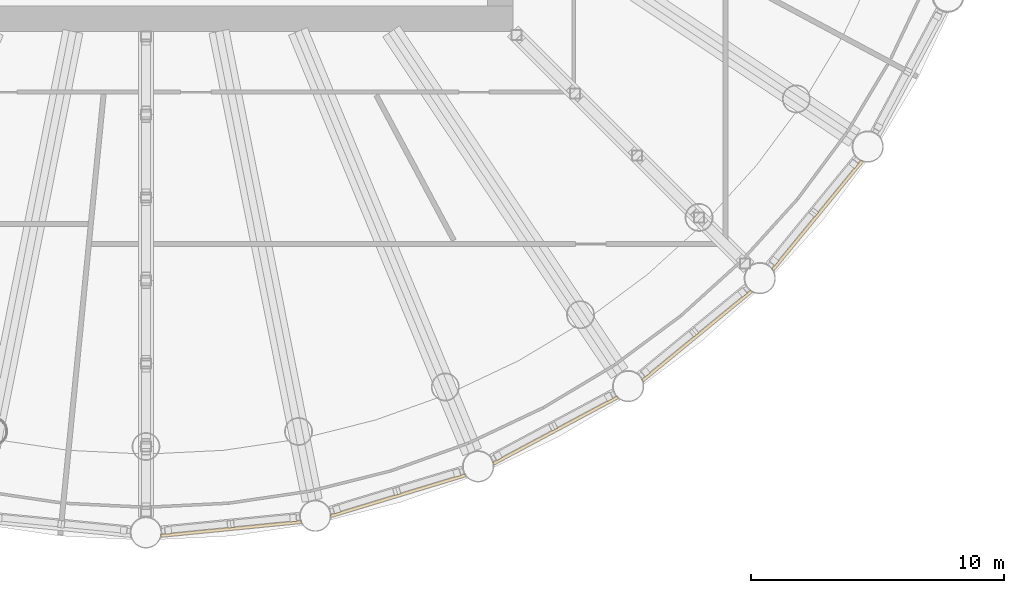
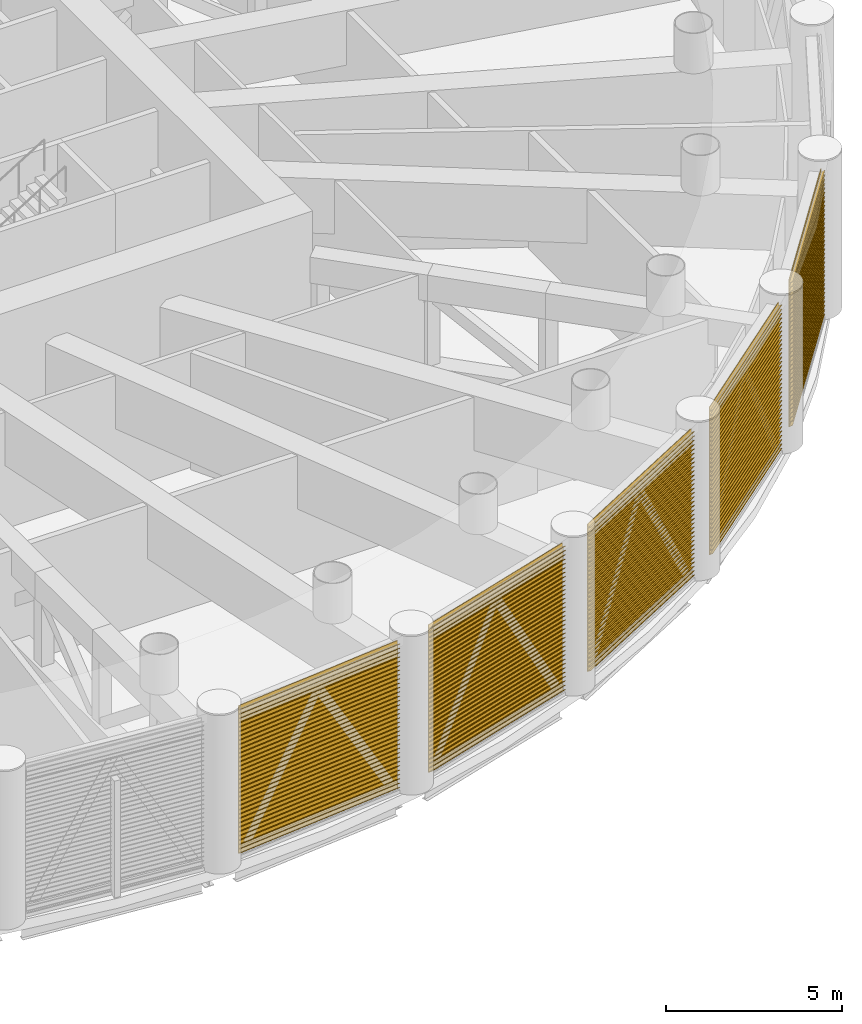
# One storey, part 24 of 29: 5 shading devices, 5 elements without a shape of their own.
"""IFC4 building model written with IfcOpenShell, lengths in metres."""

from ifc_helpers import new_model, si_unit, direction, frame, origin, place, context, subcontext, project, spatial, polyline, outline, extrude, material, material_profile, profile_set, type_object, element, aggregate, save


model = new_model("IFC4")

# Units and contexts
model_context = context("Model", 3, precision=1e-05, world=origin(), true_north=direction((0.0, 1.0)))
body_context = subcontext(model_context, "Body", "Model", "MODEL_VIEW")
ifc_project = project(units=[si_unit("LENGTHUNIT", "METRE"), si_unit("AREAUNIT", "SQUARE_METRE"), si_unit("VOLUMEUNIT", "CUBIC_METRE"), si_unit("PLANEANGLEUNIT", "RADIAN"), si_unit("MASSUNIT", "GRAM", prefix="KILO")], contexts=[model_context])

# Site, building, storey
site_placement = place(None, origin())
site = spatial("IfcSite", under=ifc_project, at=site_placement, CompositionType="ELEMENT")
building_placement = place(site_placement, origin())
building = spatial("IfcBuilding", under=site, at=building_placement, Name="Corvane Civic Tower", CompositionType="ELEMENT")
storey_placement = place(building_placement, frame((0.0, 0.0, 138.5)))
storey = spatial("IfcBuildingStorey", under=building, at=storey_placement, Name="L32", CompositionType="ELEMENT", Elevation=138.5)

# Curtain wall, shading device
ifc_material_1 = material(Name="Anodised aluminium bronze", Category="aluminium")
curtain_wall_type = type_object("IfcCurtainWallType", Name="TOWER CW-LV LOUVRE SCREEN WALL", PredefinedType="NOTDEFINED", material=ifc_material_1)
curtain_wall_1_placement = place(storey_placement, origin())
curtain_wall_1 = element("IfcCurtainWall", 1, at=curtain_wall_1_placement, inside=storey, type_object=curtain_wall_type, Name="Louvre screen wall CW-LV L32 bay 12", PredefinedType="NOTDEFINED")
ifc_material_2 = material(Name="Anodised aluminium bronze", Category="aluminium")
ifc_material_profile = material_profile(ifc_material_2, outline(polyline([(-0.06005859375, -2.56494140625), (-0.0400390625, -2.56494140625), (0.06005859375, -2.492919921875), (0.06005859375, -2.472900390625), (-0.0400390625, -2.544921875), (-0.0400390625, -2.4140625), (0.06005859375, -2.342041015625), (0.06005859375, -2.322021484375), (-0.0400390625, -2.39404296875), (-0.0400390625, -2.26318359375), (0.06005859375, -2.191162109375), (0.06005859375, -2.171142578125), (-0.0400390625, -2.2431640625), (-0.0400390625, -2.1123046875), (0.06005859375, -2.040283203125), (0.06005859375, -2.0205078125), (-0.0400390625, -2.09228515625), (-0.0400390625, -1.96142578125), (0.06005859375, -1.889404296875), (0.06005859375, -1.869384765625), (-0.0400390625, -1.94140625), (-0.0400390625, -1.810546875), (0.06005859375, -1.738525390625), (0.06005859375, -1.718505859375), (-0.0400390625, -1.79052734375), (-0.0400390625, -1.65966796875), (0.06005859375, -1.587646484375), (0.06005859375, -1.567626953125), (-0.0400390625, -1.6396484375), (-0.0400390625, -1.5087890625), (0.06005859375, -1.436767578125), (0.06005859375, -1.416748046875), (-0.0400390625, -1.48876953125), (-0.0400390625, -1.35791015625), (0.06005859375, -1.285888671875), (0.06005859375, -1.265869140625), (-0.0400390625, -1.337890625), (-0.0400390625, -1.20703125), (0.06005859375, -1.135009765625), (0.06005859375, -1.114990234375), (-0.0400390625, -1.18701171875), (-0.0400390625, -1.05615234375), (0.06005859375, -0.984130859375), (0.06005859375, -0.964111328125), (-0.0400390625, -1.0361328125), (-0.0400390625, -0.9052734375), (0.06005859375, -0.833251953125), (0.06005859375, -0.813232421875), (-0.0400390625, -0.88525390625), (-0.0400390625, -0.75439453125), (0.06005859375, -0.682373046875), (0.06005859375, -0.662353515625), (-0.0400390625, -0.734375), (-0.0400390625, -0.603515625), (0.06005859375, -0.531494140625), (0.06005859375, -0.511474609375), (-0.0400390625, -0.58349609375), (-0.0400390625, -0.45263671875), (0.06005859375, -0.380615234375), (0.06005859375, -0.360595703125), (-0.0400390625, -0.4326171875), (-0.0400390625, -0.3017578125), (0.06005859375, -0.229736328125), (0.06005859375, -0.209716796875), (-0.0400390625, -0.28173828125), (-0.0400390625, -0.15087890625), (0.06005859375, -0.078857421875), (0.06005859375, -0.058837890625), (-0.0400390625, -0.130859375), (-0.0400390625, 0.0), (0.06005859375, 0.072021484375), (0.06005859375, 0.092041015625), (-0.0400390625, 0.02001953125), (-0.0400390625, 0.15087890625), (0.06005859375, 0.222900390625), (0.06005859375, 0.242919921875), (-0.0400390625, 0.1708984375), (-0.0400390625, 0.3017578125), (0.06005859375, 0.373779296875), (0.06005859375, 0.393798828125), (-0.0400390625, 0.32177734375), (-0.0400390625, 0.45263671875), (0.06005859375, 0.524658203125), (0.06005859375, 0.544677734375), (-0.0400390625, 0.47265625), (-0.0400390625, 0.603515625), (0.06005859375, 0.675537109375), (0.06005859375, 0.695556640625), (-0.0400390625, 0.62353515625), (-0.0400390625, 0.75439453125), (0.06005859375, 0.826416015625), (0.06005859375, 0.846435546875), (-0.0400390625, 0.7744140625), (-0.0400390625, 0.9052734375), (0.06005859375, 0.977294921875), (0.06005859375, 0.997314453125), (-0.0400390625, 0.92529296875), (-0.0400390625, 1.05615234375), (0.06005859375, 1.128173828125), (0.06005859375, 1.148193359375), (-0.0400390625, 1.076171875), (-0.0400390625, 1.20703125), (0.06005859375, 1.279052734375), (0.06005859375, 1.299072265625), (-0.0400390625, 1.22705078125), (-0.0400390625, 1.35791015625), (0.06005859375, 1.429931640625), (0.06005859375, 1.449951171875), (-0.0400390625, 1.3779296875), (-0.0400390625, 1.5087890625), (0.06005859375, 1.580810546875), (0.06005859375, 1.600830078125), (-0.0400390625, 1.52880859375), (-0.0400390625, 1.65966796875), (0.06005859375, 1.731689453125), (0.06005859375, 1.751708984375), (-0.0400390625, 1.6796875), (-0.0400390625, 1.810546875), (0.06005859375, 1.882568359375), (0.06005859375, 1.902587890625), (-0.0400390625, 1.83056640625), (-0.0400390625, 1.96142578125), (0.06005859375, 2.033447265625), (0.06005859375, 2.053466796875), (-0.0400390625, 1.9814453125), (-0.0400390625, 2.1123046875), (0.06005859375, 2.184326171875), (0.06005859375, 2.204345703125), (-0.0400390625, 2.13232421875), (-0.0400390625, 2.26318359375), (0.06005859375, 2.335205078125), (0.06005859375, 2.355224609375), (-0.0400390625, 2.283203125), (-0.0400390625, 2.4140625), (0.06005859375, 2.486083984375), (0.06005859375, 2.506103515625), (-0.0400390625, 2.43408203125), (-0.0400390625, 2.56494140625), (-0.06005859375, 2.56494140625), (-0.06005859375, -2.56494140625)])), Name="TOWER LOUVRE BANK 5130 BRONZE")
ifc_profile_set = profile_set([ifc_material_profile], Name="Anodised aluminium bronze")
shading_device_type = type_object("IfcShadingDeviceType", Name="TOWER LOUVRE BANK 5130 BRONZE", PredefinedType="USERDEFINED", material=ifc_profile_set)
shading_device_1_placement = place(storey_placement, frame((28.297119140625, -19.609619140625, 2.68505859375), z_axis=(-0.634410369295, -0.772996431642, 0.0), x_axis=(0.772996431642, -0.634410369295, 0.0)))
shading_device_1 = element("IfcShadingDevice", 2, at=shading_device_1_placement, type_object=shading_device_type, Name="Louvre bank L32 12.1", ObjectType="LOUVRE", PredefinedType="USERDEFINED", context=body_context, shape_type="SweptSolid", body=[
    extrude(outline(polyline([(-0.06005859375, -2.56494140625), (-0.0400390625, -2.56494140625), (0.06005859375, -2.492919921875), (0.06005859375, -2.472900390625), (-0.0400390625, -2.544921875), (-0.0400390625, -2.4140625), (0.06005859375, -2.342041015625), (0.06005859375, -2.322021484375), (-0.0400390625, -2.39404296875), (-0.0400390625, -2.26318359375), (0.06005859375, -2.191162109375), (0.06005859375, -2.171142578125), (-0.0400390625, -2.2431640625), (-0.0400390625, -2.1123046875), (0.06005859375, -2.040283203125), (0.06005859375, -2.0205078125), (-0.0400390625, -2.09228515625), (-0.0400390625, -1.96142578125), (0.06005859375, -1.889404296875), (0.06005859375, -1.869384765625), (-0.0400390625, -1.94140625), (-0.0400390625, -1.810546875), (0.06005859375, -1.738525390625), (0.06005859375, -1.718505859375), (-0.0400390625, -1.79052734375), (-0.0400390625, -1.65966796875), (0.06005859375, -1.587646484375), (0.06005859375, -1.567626953125), (-0.0400390625, -1.6396484375), (-0.0400390625, -1.5087890625), (0.06005859375, -1.436767578125), (0.06005859375, -1.416748046875), (-0.0400390625, -1.48876953125), (-0.0400390625, -1.35791015625), (0.06005859375, -1.285888671875), (0.06005859375, -1.265869140625), (-0.0400390625, -1.337890625), (-0.0400390625, -1.20703125), (0.06005859375, -1.135009765625), (0.06005859375, -1.114990234375), (-0.0400390625, -1.18701171875), (-0.0400390625, -1.05615234375), (0.06005859375, -0.984130859375), (0.06005859375, -0.964111328125), (-0.0400390625, -1.0361328125), (-0.0400390625, -0.9052734375), (0.06005859375, -0.833251953125), (0.06005859375, -0.813232421875), (-0.0400390625, -0.88525390625), (-0.0400390625, -0.75439453125), (0.06005859375, -0.682373046875), (0.06005859375, -0.662353515625), (-0.0400390625, -0.734375), (-0.0400390625, -0.603515625), (0.06005859375, -0.531494140625), (0.06005859375, -0.511474609375), (-0.0400390625, -0.58349609375), (-0.0400390625, -0.45263671875), (0.06005859375, -0.380615234375), (0.06005859375, -0.360595703125), (-0.0400390625, -0.4326171875), (-0.0400390625, -0.3017578125), (0.06005859375, -0.229736328125), (0.06005859375, -0.209716796875), (-0.0400390625, -0.28173828125), (-0.0400390625, -0.15087890625), (0.06005859375, -0.078857421875), (0.06005859375, -0.058837890625), (-0.0400390625, -0.130859375), (-0.0400390625, 0.0), (0.06005859375, 0.072021484375), (0.06005859375, 0.092041015625), (-0.0400390625, 0.02001953125), (-0.0400390625, 0.15087890625), (0.06005859375, 0.222900390625), (0.06005859375, 0.242919921875), (-0.0400390625, 0.1708984375), (-0.0400390625, 0.3017578125), (0.06005859375, 0.373779296875), (0.06005859375, 0.393798828125), (-0.0400390625, 0.32177734375), (-0.0400390625, 0.45263671875), (0.06005859375, 0.524658203125), (0.06005859375, 0.544677734375), (-0.0400390625, 0.47265625), (-0.0400390625, 0.603515625), (0.06005859375, 0.675537109375), (0.06005859375, 0.695556640625), (-0.0400390625, 0.62353515625), (-0.0400390625, 0.75439453125), (0.06005859375, 0.826416015625), (0.06005859375, 0.846435546875), (-0.0400390625, 0.7744140625), (-0.0400390625, 0.9052734375), (0.06005859375, 0.977294921875), (0.06005859375, 0.997314453125), (-0.0400390625, 0.92529296875), (-0.0400390625, 1.05615234375), (0.06005859375, 1.128173828125), (0.06005859375, 1.148193359375), (-0.0400390625, 1.076171875), (-0.0400390625, 1.20703125), (0.06005859375, 1.279052734375), (0.06005859375, 1.299072265625), (-0.0400390625, 1.22705078125), (-0.0400390625, 1.35791015625), (0.06005859375, 1.429931640625), (0.06005859375, 1.449951171875), (-0.0400390625, 1.3779296875), (-0.0400390625, 1.5087890625), (0.06005859375, 1.580810546875), (0.06005859375, 1.600830078125), (-0.0400390625, 1.52880859375), (-0.0400390625, 1.65966796875), (0.06005859375, 1.731689453125), (0.06005859375, 1.751708984375), (-0.0400390625, 1.6796875), (-0.0400390625, 1.810546875), (0.06005859375, 1.882568359375), (0.06005859375, 1.902587890625), (-0.0400390625, 1.83056640625), (-0.0400390625, 1.96142578125), (0.06005859375, 2.033447265625), (0.06005859375, 2.053466796875), (-0.0400390625, 1.9814453125), (-0.0400390625, 2.1123046875), (0.06005859375, 2.184326171875), (0.06005859375, 2.204345703125), (-0.0400390625, 2.13232421875), (-0.0400390625, 2.26318359375), (0.06005859375, 2.335205078125), (0.06005859375, 2.355224609375), (-0.0400390625, 2.283203125), (-0.0400390625, 2.4140625), (0.06005859375, 2.486083984375), (0.06005859375, 2.506103515625), (-0.0400390625, 2.43408203125), (-0.0400390625, 2.56494140625), (-0.06005859375, 2.56494140625), (-0.06005859375, -2.56494140625)])), origin(), (0.0, 0.0, 1.0), 5.586181640625),
])
aggregate(curtain_wall_1, [shading_device_1])

curtain_wall_2_placement = place(storey_placement, origin())
curtain_wall_2 = element("IfcCurtainWall", 3, at=curtain_wall_2_placement, inside=storey, type_object=curtain_wall_type, Name="Louvre screen wall CW-LV L32 bay 13", PredefinedType="NOTDEFINED")
shading_device_2_placement = place(storey_placement, frame((23.927734375, -24.753173828125, 2.68505859375), z_axis=(-0.772996431642, -0.634410369295, 0.0), x_axis=(0.634410369295, -0.772996431642, 0.0)))
shading_device_2 = element("IfcShadingDevice", 4, at=shading_device_2_placement, type_object=shading_device_type, Name="Louvre bank L32 13.1", ObjectType="LOUVRE", PredefinedType="USERDEFINED", context=body_context, shape_type="SweptSolid", body=[
    extrude(outline(polyline([(-0.06005859375, -2.56494140625), (-0.0400390625, -2.56494140625), (0.06005859375, -2.492919921875), (0.06005859375, -2.472900390625), (-0.0400390625, -2.544921875), (-0.0400390625, -2.4140625), (0.06005859375, -2.342041015625), (0.06005859375, -2.322021484375), (-0.0400390625, -2.39404296875), (-0.0400390625, -2.26318359375), (0.06005859375, -2.191162109375), (0.06005859375, -2.171142578125), (-0.0400390625, -2.2431640625), (-0.0400390625, -2.1123046875), (0.06005859375, -2.040283203125), (0.06005859375, -2.0205078125), (-0.0400390625, -2.09228515625), (-0.0400390625, -1.96142578125), (0.06005859375, -1.889404296875), (0.06005859375, -1.869384765625), (-0.0400390625, -1.94140625), (-0.0400390625, -1.810546875), (0.06005859375, -1.738525390625), (0.06005859375, -1.718505859375), (-0.0400390625, -1.79052734375), (-0.0400390625, -1.65966796875), (0.06005859375, -1.587646484375), (0.06005859375, -1.567626953125), (-0.0400390625, -1.6396484375), (-0.0400390625, -1.5087890625), (0.06005859375, -1.436767578125), (0.06005859375, -1.416748046875), (-0.0400390625, -1.48876953125), (-0.0400390625, -1.35791015625), (0.06005859375, -1.285888671875), (0.06005859375, -1.265869140625), (-0.0400390625, -1.337890625), (-0.0400390625, -1.20703125), (0.06005859375, -1.135009765625), (0.06005859375, -1.114990234375), (-0.0400390625, -1.18701171875), (-0.0400390625, -1.05615234375), (0.06005859375, -0.984130859375), (0.06005859375, -0.964111328125), (-0.0400390625, -1.0361328125), (-0.0400390625, -0.9052734375), (0.06005859375, -0.833251953125), (0.06005859375, -0.813232421875), (-0.0400390625, -0.88525390625), (-0.0400390625, -0.75439453125), (0.06005859375, -0.682373046875), (0.06005859375, -0.662353515625), (-0.0400390625, -0.734375), (-0.0400390625, -0.603515625), (0.06005859375, -0.531494140625), (0.06005859375, -0.511474609375), (-0.0400390625, -0.58349609375), (-0.0400390625, -0.45263671875), (0.06005859375, -0.380615234375), (0.06005859375, -0.360595703125), (-0.0400390625, -0.4326171875), (-0.0400390625, -0.3017578125), (0.06005859375, -0.229736328125), (0.06005859375, -0.209716796875), (-0.0400390625, -0.28173828125), (-0.0400390625, -0.15087890625), (0.06005859375, -0.078857421875), (0.06005859375, -0.058837890625), (-0.0400390625, -0.130859375), (-0.0400390625, 0.0), (0.06005859375, 0.072021484375), (0.06005859375, 0.092041015625), (-0.0400390625, 0.02001953125), (-0.0400390625, 0.15087890625), (0.06005859375, 0.222900390625), (0.06005859375, 0.242919921875), (-0.0400390625, 0.1708984375), (-0.0400390625, 0.3017578125), (0.06005859375, 0.373779296875), (0.06005859375, 0.393798828125), (-0.0400390625, 0.32177734375), (-0.0400390625, 0.45263671875), (0.06005859375, 0.524658203125), (0.06005859375, 0.544677734375), (-0.0400390625, 0.47265625), (-0.0400390625, 0.603515625), (0.06005859375, 0.675537109375), (0.06005859375, 0.695556640625), (-0.0400390625, 0.62353515625), (-0.0400390625, 0.75439453125), (0.06005859375, 0.826416015625), (0.06005859375, 0.846435546875), (-0.0400390625, 0.7744140625), (-0.0400390625, 0.9052734375), (0.06005859375, 0.977294921875), (0.06005859375, 0.997314453125), (-0.0400390625, 0.92529296875), (-0.0400390625, 1.05615234375), (0.06005859375, 1.128173828125), (0.06005859375, 1.148193359375), (-0.0400390625, 1.076171875), (-0.0400390625, 1.20703125), (0.06005859375, 1.279052734375), (0.06005859375, 1.299072265625), (-0.0400390625, 1.22705078125), (-0.0400390625, 1.35791015625), (0.06005859375, 1.429931640625), (0.06005859375, 1.449951171875), (-0.0400390625, 1.3779296875), (-0.0400390625, 1.5087890625), (0.06005859375, 1.580810546875), (0.06005859375, 1.600830078125), (-0.0400390625, 1.52880859375), (-0.0400390625, 1.65966796875), (0.06005859375, 1.731689453125), (0.06005859375, 1.751708984375), (-0.0400390625, 1.6796875), (-0.0400390625, 1.810546875), (0.06005859375, 1.882568359375), (0.06005859375, 1.902587890625), (-0.0400390625, 1.83056640625), (-0.0400390625, 1.96142578125), (0.06005859375, 2.033447265625), (0.06005859375, 2.053466796875), (-0.0400390625, 1.9814453125), (-0.0400390625, 2.1123046875), (0.06005859375, 2.184326171875), (0.06005859375, 2.204345703125), (-0.0400390625, 2.13232421875), (-0.0400390625, 2.26318359375), (0.06005859375, 2.335205078125), (0.06005859375, 2.355224609375), (-0.0400390625, 2.283203125), (-0.0400390625, 2.4140625), (0.06005859375, 2.486083984375), (0.06005859375, 2.506103515625), (-0.0400390625, 2.43408203125), (-0.0400390625, 2.56494140625), (-0.06005859375, 2.56494140625), (-0.06005859375, -2.56494140625)])), origin(), (0.0, 0.0, 1.0), 5.586181640625),
])
aggregate(curtain_wall_2, [shading_device_2])

curtain_wall_3_placement = place(storey_placement, origin())
curtain_wall_3 = element("IfcCurtainWall", 5, at=curtain_wall_3_placement, inside=storey, type_object=curtain_wall_type, Name="Louvre screen wall CW-LV L32 bay 14", PredefinedType="NOTDEFINED")
shading_device_3_placement = place(storey_placement, frame((18.63916015625, -28.945556640625, 2.68505859375), z_axis=(-0.881920705407, -0.47139778253, 0.0), x_axis=(0.47139778253, -0.881920705407, 0.0)))
shading_device_3 = element("IfcShadingDevice", 6, at=shading_device_3_placement, type_object=shading_device_type, Name="Louvre bank L32 14.1", ObjectType="LOUVRE", PredefinedType="USERDEFINED", context=body_context, shape_type="SweptSolid", body=[
    extrude(outline(polyline([(-0.06005859375, -2.56494140625), (-0.0400390625, -2.56494140625), (0.06005859375, -2.492919921875), (0.06005859375, -2.472900390625), (-0.0400390625, -2.544921875), (-0.0400390625, -2.4140625), (0.06005859375, -2.342041015625), (0.06005859375, -2.322021484375), (-0.0400390625, -2.39404296875), (-0.0400390625, -2.26318359375), (0.06005859375, -2.191162109375), (0.06005859375, -2.171142578125), (-0.0400390625, -2.2431640625), (-0.0400390625, -2.1123046875), (0.06005859375, -2.040283203125), (0.06005859375, -2.0205078125), (-0.0400390625, -2.09228515625), (-0.0400390625, -1.96142578125), (0.06005859375, -1.889404296875), (0.06005859375, -1.869384765625), (-0.0400390625, -1.94140625), (-0.0400390625, -1.810546875), (0.06005859375, -1.738525390625), (0.06005859375, -1.718505859375), (-0.0400390625, -1.79052734375), (-0.0400390625, -1.65966796875), (0.06005859375, -1.587646484375), (0.06005859375, -1.567626953125), (-0.0400390625, -1.6396484375), (-0.0400390625, -1.5087890625), (0.06005859375, -1.436767578125), (0.06005859375, -1.416748046875), (-0.0400390625, -1.48876953125), (-0.0400390625, -1.35791015625), (0.06005859375, -1.285888671875), (0.06005859375, -1.265869140625), (-0.0400390625, -1.337890625), (-0.0400390625, -1.20703125), (0.06005859375, -1.135009765625), (0.06005859375, -1.114990234375), (-0.0400390625, -1.18701171875), (-0.0400390625, -1.05615234375), (0.06005859375, -0.984130859375), (0.06005859375, -0.964111328125), (-0.0400390625, -1.0361328125), (-0.0400390625, -0.9052734375), (0.06005859375, -0.833251953125), (0.06005859375, -0.813232421875), (-0.0400390625, -0.88525390625), (-0.0400390625, -0.75439453125), (0.06005859375, -0.682373046875), (0.06005859375, -0.662353515625), (-0.0400390625, -0.734375), (-0.0400390625, -0.603515625), (0.06005859375, -0.531494140625), (0.06005859375, -0.511474609375), (-0.0400390625, -0.58349609375), (-0.0400390625, -0.45263671875), (0.06005859375, -0.380615234375), (0.06005859375, -0.360595703125), (-0.0400390625, -0.4326171875), (-0.0400390625, -0.3017578125), (0.06005859375, -0.229736328125), (0.06005859375, -0.209716796875), (-0.0400390625, -0.28173828125), (-0.0400390625, -0.15087890625), (0.06005859375, -0.078857421875), (0.06005859375, -0.058837890625), (-0.0400390625, -0.130859375), (-0.0400390625, 0.0), (0.06005859375, 0.072021484375), (0.06005859375, 0.092041015625), (-0.0400390625, 0.02001953125), (-0.0400390625, 0.15087890625), (0.06005859375, 0.222900390625), (0.06005859375, 0.242919921875), (-0.0400390625, 0.1708984375), (-0.0400390625, 0.3017578125), (0.06005859375, 0.373779296875), (0.06005859375, 0.393798828125), (-0.0400390625, 0.32177734375), (-0.0400390625, 0.45263671875), (0.06005859375, 0.524658203125), (0.06005859375, 0.544677734375), (-0.0400390625, 0.47265625), (-0.0400390625, 0.603515625), (0.06005859375, 0.675537109375), (0.06005859375, 0.695556640625), (-0.0400390625, 0.62353515625), (-0.0400390625, 0.75439453125), (0.06005859375, 0.826416015625), (0.06005859375, 0.846435546875), (-0.0400390625, 0.7744140625), (-0.0400390625, 0.9052734375), (0.06005859375, 0.977294921875), (0.06005859375, 0.997314453125), (-0.0400390625, 0.92529296875), (-0.0400390625, 1.05615234375), (0.06005859375, 1.128173828125), (0.06005859375, 1.148193359375), (-0.0400390625, 1.076171875), (-0.0400390625, 1.20703125), (0.06005859375, 1.279052734375), (0.06005859375, 1.299072265625), (-0.0400390625, 1.22705078125), (-0.0400390625, 1.35791015625), (0.06005859375, 1.429931640625), (0.06005859375, 1.449951171875), (-0.0400390625, 1.3779296875), (-0.0400390625, 1.5087890625), (0.06005859375, 1.580810546875), (0.06005859375, 1.600830078125), (-0.0400390625, 1.52880859375), (-0.0400390625, 1.65966796875), (0.06005859375, 1.731689453125), (0.06005859375, 1.751708984375), (-0.0400390625, 1.6796875), (-0.0400390625, 1.810546875), (0.06005859375, 1.882568359375), (0.06005859375, 1.902587890625), (-0.0400390625, 1.83056640625), (-0.0400390625, 1.96142578125), (0.06005859375, 2.033447265625), (0.06005859375, 2.053466796875), (-0.0400390625, 1.9814453125), (-0.0400390625, 2.1123046875), (0.06005859375, 2.184326171875), (0.06005859375, 2.204345703125), (-0.0400390625, 2.13232421875), (-0.0400390625, 2.26318359375), (0.06005859375, 2.335205078125), (0.06005859375, 2.355224609375), (-0.0400390625, 2.283203125), (-0.0400390625, 2.4140625), (0.06005859375, 2.486083984375), (0.06005859375, 2.506103515625), (-0.0400390625, 2.43408203125), (-0.0400390625, 2.56494140625), (-0.06005859375, 2.56494140625), (-0.06005859375, -2.56494140625)])), origin(), (0.0, 0.0, 1.0), 5.586669921875),
])
aggregate(curtain_wall_3, [shading_device_3])

curtain_wall_4_placement = place(storey_placement, origin())
curtain_wall_4 = element("IfcCurtainWall", 7, at=curtain_wall_4_placement, inside=storey, type_object=curtain_wall_type, Name="Louvre screen wall CW-LV L32 bay 15", PredefinedType="NOTDEFINED")
shading_device_4_placement = place(storey_placement, frame((12.6337890625, -32.025634765625, 2.68505859375), z_axis=(-0.956944977029, -0.290269376509, 0.0), x_axis=(0.290269376509, -0.956944977029, 0.0)))
shading_device_4 = element("IfcShadingDevice", 8, at=shading_device_4_placement, type_object=shading_device_type, Name="Louvre bank L32 15.1", ObjectType="LOUVRE", PredefinedType="USERDEFINED", context=body_context, shape_type="SweptSolid", body=[
    extrude(outline(polyline([(-0.06005859375, -2.56494140625), (-0.0400390625, -2.56494140625), (0.06005859375, -2.492919921875), (0.06005859375, -2.472900390625), (-0.0400390625, -2.544921875), (-0.0400390625, -2.4140625), (0.06005859375, -2.342041015625), (0.06005859375, -2.322021484375), (-0.0400390625, -2.39404296875), (-0.0400390625, -2.26318359375), (0.06005859375, -2.191162109375), (0.06005859375, -2.171142578125), (-0.0400390625, -2.2431640625), (-0.0400390625, -2.1123046875), (0.06005859375, -2.040283203125), (0.06005859375, -2.0205078125), (-0.0400390625, -2.09228515625), (-0.0400390625, -1.96142578125), (0.06005859375, -1.889404296875), (0.06005859375, -1.869384765625), (-0.0400390625, -1.94140625), (-0.0400390625, -1.810546875), (0.06005859375, -1.738525390625), (0.06005859375, -1.718505859375), (-0.0400390625, -1.79052734375), (-0.0400390625, -1.65966796875), (0.06005859375, -1.587646484375), (0.06005859375, -1.567626953125), (-0.0400390625, -1.6396484375), (-0.0400390625, -1.5087890625), (0.06005859375, -1.436767578125), (0.06005859375, -1.416748046875), (-0.0400390625, -1.48876953125), (-0.0400390625, -1.35791015625), (0.06005859375, -1.285888671875), (0.06005859375, -1.265869140625), (-0.0400390625, -1.337890625), (-0.0400390625, -1.20703125), (0.06005859375, -1.135009765625), (0.06005859375, -1.114990234375), (-0.0400390625, -1.18701171875), (-0.0400390625, -1.05615234375), (0.06005859375, -0.984130859375), (0.06005859375, -0.964111328125), (-0.0400390625, -1.0361328125), (-0.0400390625, -0.9052734375), (0.06005859375, -0.833251953125), (0.06005859375, -0.813232421875), (-0.0400390625, -0.88525390625), (-0.0400390625, -0.75439453125), (0.06005859375, -0.682373046875), (0.06005859375, -0.662353515625), (-0.0400390625, -0.734375), (-0.0400390625, -0.603515625), (0.06005859375, -0.531494140625), (0.06005859375, -0.511474609375), (-0.0400390625, -0.58349609375), (-0.0400390625, -0.45263671875), (0.06005859375, -0.380615234375), (0.06005859375, -0.360595703125), (-0.0400390625, -0.4326171875), (-0.0400390625, -0.3017578125), (0.06005859375, -0.229736328125), (0.06005859375, -0.209716796875), (-0.0400390625, -0.28173828125), (-0.0400390625, -0.15087890625), (0.06005859375, -0.078857421875), (0.06005859375, -0.058837890625), (-0.0400390625, -0.130859375), (-0.0400390625, 0.0), (0.06005859375, 0.072021484375), (0.06005859375, 0.092041015625), (-0.0400390625, 0.02001953125), (-0.0400390625, 0.15087890625), (0.06005859375, 0.222900390625), (0.06005859375, 0.242919921875), (-0.0400390625, 0.1708984375), (-0.0400390625, 0.3017578125), (0.06005859375, 0.373779296875), (0.06005859375, 0.393798828125), (-0.0400390625, 0.32177734375), (-0.0400390625, 0.45263671875), (0.06005859375, 0.524658203125), (0.06005859375, 0.544677734375), (-0.0400390625, 0.47265625), (-0.0400390625, 0.603515625), (0.06005859375, 0.675537109375), (0.06005859375, 0.695556640625), (-0.0400390625, 0.62353515625), (-0.0400390625, 0.75439453125), (0.06005859375, 0.826416015625), (0.06005859375, 0.846435546875), (-0.0400390625, 0.7744140625), (-0.0400390625, 0.9052734375), (0.06005859375, 0.977294921875), (0.06005859375, 0.997314453125), (-0.0400390625, 0.92529296875), (-0.0400390625, 1.05615234375), (0.06005859375, 1.128173828125), (0.06005859375, 1.148193359375), (-0.0400390625, 1.076171875), (-0.0400390625, 1.20703125), (0.06005859375, 1.279052734375), (0.06005859375, 1.299072265625), (-0.0400390625, 1.22705078125), (-0.0400390625, 1.35791015625), (0.06005859375, 1.429931640625), (0.06005859375, 1.449951171875), (-0.0400390625, 1.3779296875), (-0.0400390625, 1.5087890625), (0.06005859375, 1.580810546875), (0.06005859375, 1.600830078125), (-0.0400390625, 1.52880859375), (-0.0400390625, 1.65966796875), (0.06005859375, 1.731689453125), (0.06005859375, 1.751708984375), (-0.0400390625, 1.6796875), (-0.0400390625, 1.810546875), (0.06005859375, 1.882568359375), (0.06005859375, 1.902587890625), (-0.0400390625, 1.83056640625), (-0.0400390625, 1.96142578125), (0.06005859375, 2.033447265625), (0.06005859375, 2.053466796875), (-0.0400390625, 1.9814453125), (-0.0400390625, 2.1123046875), (0.06005859375, 2.184326171875), (0.06005859375, 2.204345703125), (-0.0400390625, 2.13232421875), (-0.0400390625, 2.26318359375), (0.06005859375, 2.335205078125), (0.06005859375, 2.355224609375), (-0.0400390625, 2.283203125), (-0.0400390625, 2.4140625), (0.06005859375, 2.486083984375), (0.06005859375, 2.506103515625), (-0.0400390625, 2.43408203125), (-0.0400390625, 2.56494140625), (-0.06005859375, 2.56494140625), (-0.06005859375, -2.56494140625)])), origin(), (0.0, 0.0, 1.0), 5.58642578125),
])
aggregate(curtain_wall_4, [shading_device_4])

curtain_wall_5_placement = place(storey_placement, origin())
curtain_wall_5 = element("IfcCurtainWall", 9, at=curtain_wall_5_placement, inside=storey, type_object=curtain_wall_type, Name="Louvre screen wall CW-LV L32 bay 16", PredefinedType="NOTDEFINED")
shading_device_5_placement = place(storey_placement, frame((6.14306640625, -33.874755859375, 2.68505859375), z_axis=(-0.995179807033, -0.098067077419, 0.0), x_axis=(0.098067077419, -0.995179807033, 0.0)))
shading_device_5 = element("IfcShadingDevice", 10, at=shading_device_5_placement, type_object=shading_device_type, Name="Louvre bank L32 16.1", ObjectType="LOUVRE", PredefinedType="USERDEFINED", context=body_context, shape_type="SweptSolid", body=[
    extrude(outline(polyline([(-0.06005859375, -2.56494140625), (-0.0400390625, -2.56494140625), (0.06005859375, -2.492919921875), (0.06005859375, -2.472900390625), (-0.0400390625, -2.544921875), (-0.0400390625, -2.4140625), (0.06005859375, -2.342041015625), (0.06005859375, -2.322021484375), (-0.0400390625, -2.39404296875), (-0.0400390625, -2.26318359375), (0.06005859375, -2.191162109375), (0.06005859375, -2.171142578125), (-0.0400390625, -2.2431640625), (-0.0400390625, -2.1123046875), (0.06005859375, -2.040283203125), (0.06005859375, -2.0205078125), (-0.0400390625, -2.09228515625), (-0.0400390625, -1.96142578125), (0.06005859375, -1.889404296875), (0.06005859375, -1.869384765625), (-0.0400390625, -1.94140625), (-0.0400390625, -1.810546875), (0.06005859375, -1.738525390625), (0.06005859375, -1.718505859375), (-0.0400390625, -1.79052734375), (-0.0400390625, -1.65966796875), (0.06005859375, -1.587646484375), (0.06005859375, -1.567626953125), (-0.0400390625, -1.6396484375), (-0.0400390625, -1.5087890625), (0.06005859375, -1.436767578125), (0.06005859375, -1.416748046875), (-0.0400390625, -1.48876953125), (-0.0400390625, -1.35791015625), (0.06005859375, -1.285888671875), (0.06005859375, -1.265869140625), (-0.0400390625, -1.337890625), (-0.0400390625, -1.20703125), (0.06005859375, -1.135009765625), (0.06005859375, -1.114990234375), (-0.0400390625, -1.18701171875), (-0.0400390625, -1.05615234375), (0.06005859375, -0.984130859375), (0.06005859375, -0.964111328125), (-0.0400390625, -1.0361328125), (-0.0400390625, -0.9052734375), (0.06005859375, -0.833251953125), (0.06005859375, -0.813232421875), (-0.0400390625, -0.88525390625), (-0.0400390625, -0.75439453125), (0.06005859375, -0.682373046875), (0.06005859375, -0.662353515625), (-0.0400390625, -0.734375), (-0.0400390625, -0.603515625), (0.06005859375, -0.531494140625), (0.06005859375, -0.511474609375), (-0.0400390625, -0.58349609375), (-0.0400390625, -0.45263671875), (0.06005859375, -0.380615234375), (0.06005859375, -0.360595703125), (-0.0400390625, -0.4326171875), (-0.0400390625, -0.3017578125), (0.06005859375, -0.229736328125), (0.06005859375, -0.209716796875), (-0.0400390625, -0.28173828125), (-0.0400390625, -0.15087890625), (0.06005859375, -0.078857421875), (0.06005859375, -0.058837890625), (-0.0400390625, -0.130859375), (-0.0400390625, 0.0), (0.06005859375, 0.072021484375), (0.06005859375, 0.092041015625), (-0.0400390625, 0.02001953125), (-0.0400390625, 0.15087890625), (0.06005859375, 0.222900390625), (0.06005859375, 0.242919921875), (-0.0400390625, 0.1708984375), (-0.0400390625, 0.3017578125), (0.06005859375, 0.373779296875), (0.06005859375, 0.393798828125), (-0.0400390625, 0.32177734375), (-0.0400390625, 0.45263671875), (0.06005859375, 0.524658203125), (0.06005859375, 0.544677734375), (-0.0400390625, 0.47265625), (-0.0400390625, 0.603515625), (0.06005859375, 0.675537109375), (0.06005859375, 0.695556640625), (-0.0400390625, 0.62353515625), (-0.0400390625, 0.75439453125), (0.06005859375, 0.826416015625), (0.06005859375, 0.846435546875), (-0.0400390625, 0.7744140625), (-0.0400390625, 0.9052734375), (0.06005859375, 0.977294921875), (0.06005859375, 0.997314453125), (-0.0400390625, 0.92529296875), (-0.0400390625, 1.05615234375), (0.06005859375, 1.128173828125), (0.06005859375, 1.148193359375), (-0.0400390625, 1.076171875), (-0.0400390625, 1.20703125), (0.06005859375, 1.279052734375), (0.06005859375, 1.299072265625), (-0.0400390625, 1.22705078125), (-0.0400390625, 1.35791015625), (0.06005859375, 1.429931640625), (0.06005859375, 1.449951171875), (-0.0400390625, 1.3779296875), (-0.0400390625, 1.5087890625), (0.06005859375, 1.580810546875), (0.06005859375, 1.600830078125), (-0.0400390625, 1.52880859375), (-0.0400390625, 1.65966796875), (0.06005859375, 1.731689453125), (0.06005859375, 1.751708984375), (-0.0400390625, 1.6796875), (-0.0400390625, 1.810546875), (0.06005859375, 1.882568359375), (0.06005859375, 1.902587890625), (-0.0400390625, 1.83056640625), (-0.0400390625, 1.96142578125), (0.06005859375, 2.033447265625), (0.06005859375, 2.053466796875), (-0.0400390625, 1.9814453125), (-0.0400390625, 2.1123046875), (0.06005859375, 2.184326171875), (0.06005859375, 2.204345703125), (-0.0400390625, 2.13232421875), (-0.0400390625, 2.26318359375), (0.06005859375, 2.335205078125), (0.06005859375, 2.355224609375), (-0.0400390625, 2.283203125), (-0.0400390625, 2.4140625), (0.06005859375, 2.486083984375), (0.06005859375, 2.506103515625), (-0.0400390625, 2.43408203125), (-0.0400390625, 2.56494140625), (-0.06005859375, 2.56494140625), (-0.06005859375, -2.56494140625)])), origin(), (0.0, 0.0, 1.0), 5.58642578125),
])
aggregate(curtain_wall_5, [shading_device_5])

save(model, "model.ifc")
